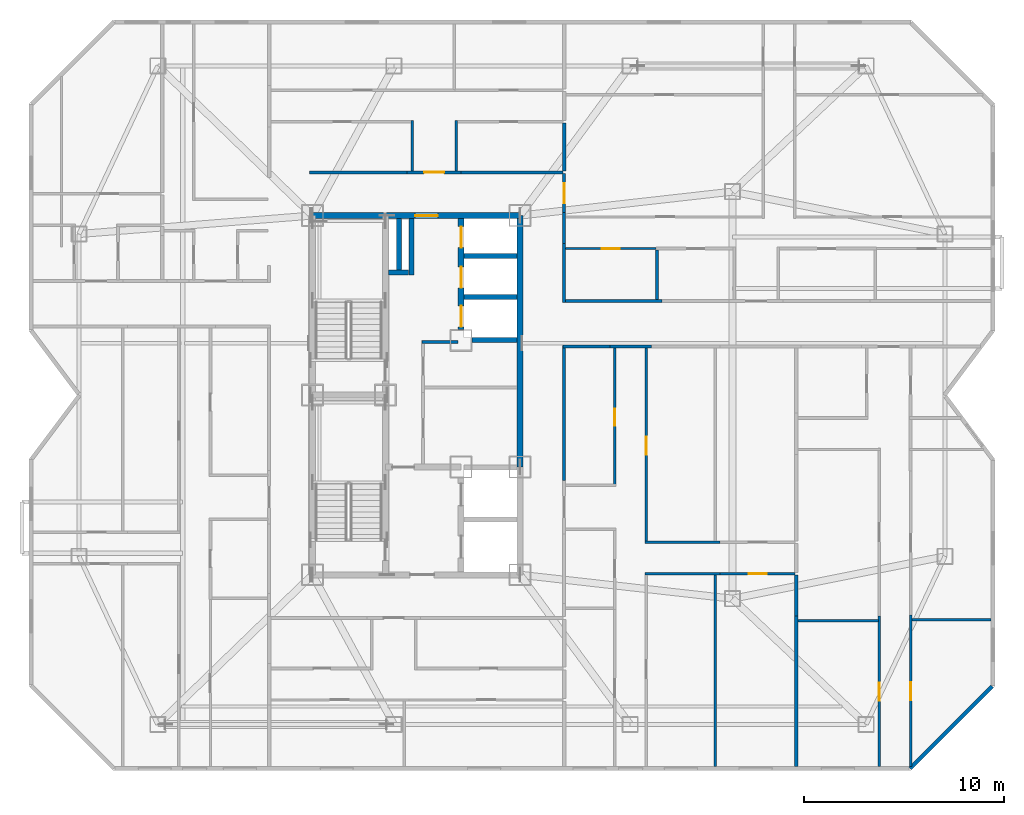
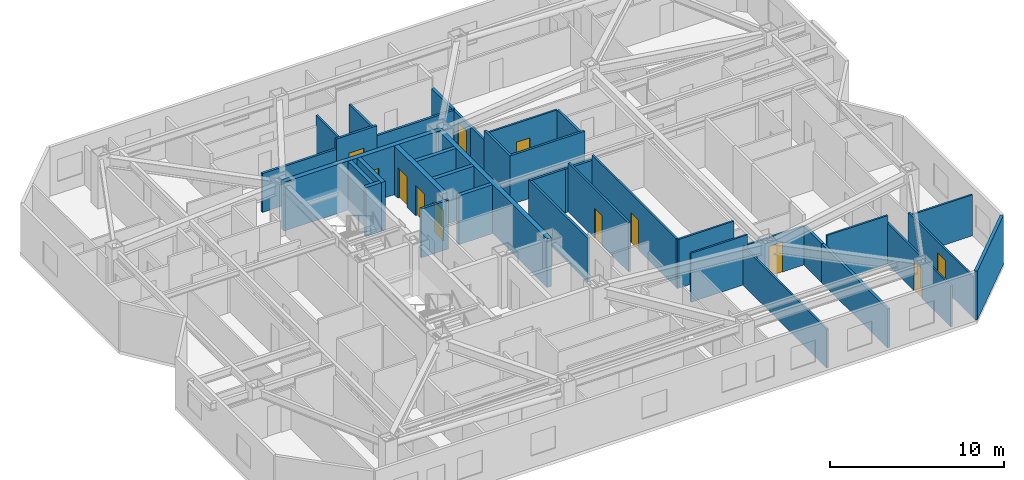
# One storey, part 8 of 12: 38 walls, 12 doors, 12 openings.
"""IFC4 building model written with IfcOpenShell, lengths in metres."""

from ifc_helpers import new_model, si_unit, direction, frame, frame_2d, origin, place, context, subcontext, project, spatial, rectangle, extrude, material, layer, layer_set, type_object, element, fill, save


model = new_model("IFC4")

# Units and contexts
model_context = context("Model", 3, precision=1e-05, world=origin(), true_north=direction((0.0, 1.0)))
body_context = subcontext(model_context, "Body", "Model", "MODEL_VIEW")
ifc_project = project(units=[si_unit("LENGTHUNIT", "METRE"), si_unit("AREAUNIT", "SQUARE_METRE"), si_unit("VOLUMEUNIT", "CUBIC_METRE"), si_unit("PLANEANGLEUNIT", "RADIAN"), si_unit("MASSUNIT", "GRAM", prefix="KILO")], contexts=[model_context])

# Site, building, storey
site_placement = place(None, origin())
site = spatial("IfcSite", under=ifc_project, at=site_placement, CompositionType="ELEMENT")
building_placement = place(site_placement, origin())
building = spatial("IfcBuilding", under=site, at=building_placement, Name="Khamvora Tower", CompositionType="ELEMENT")
storey_placement = place(building_placement, frame((0.0, 0.0, 199.699951171875)))
storey = spatial("IfcBuildingStorey", under=building, at=storey_placement, Name="L51", CompositionType="ELEMENT", Elevation=199.699951171875)

# Wall, opening, door
ifc_material_1 = material(Name="Concrete C50/60", Category="concrete")
ifc_layer_1 = layer(ifc_material_1, 0.300048828125)
ifc_layer_set_1 = layer_set([ifc_layer_1], Name="Concrete C50/60")
wall_type_1 = type_object("IfcWallType", Name="WAL-CORE-300", PredefinedType="SHEAR", material=ifc_layer_set_1)
wall_1_placement = place(storey_placement, frame((29.0, 37.0, 0.0), z_axis=(0.0, 0.0, 1.0), x_axis=(1.0, 0.0, 0.0)))
wall_1 = element("IfcWall", 1, at=wall_1_placement, inside=storey, type_object=wall_type_1, Name="L51 central core north wall", PredefinedType="SHEAR", context=body_context, shape_type="SweptSolid", body=[
    extrude(rectangle(XDim=10.39990234375, YDim=0.300048828125, at=frame_2d((5.199951171875, 0.0))), origin(), (0.0, 0.0, 1.0), 3.429931640625),
])
opening_1_placement = place(wall_1_placement, frame((5.139892578125, 0.0, 0.0)))
opening_1 = element("IfcOpeningElement", 2, at=opening_1_placement, cuts=wall_1, Name="Opening D-SC1", PredefinedType="OPENING", context=body_context, shape_type="SweptSolid", body=[
    extrude(rectangle(XDim=1.14990234375, YDim=2.199951171875, at=frame_2d((0.574951171875, 1.10009765625))), frame((0.0, 0.159912109375, 0.0), z_axis=(0.0, -1.0, 0.0), x_axis=(1.0, 0.0, 0.0)), (0.0, 0.0, 1.0), 0.320068359375),
])
ifc_material_2 = material(Name="Powder-Coated Steel and Hardwood Leaf", Category="steel")
door_type_1 = type_object("IfcDoorType", Name="DOR-SCHL-1150", OperationType="NOTDEFINED", PredefinedType="DOOR", material=ifc_material_2)
door_1_placement = place(opening_1_placement, origin())
door_1 = element("IfcDoor", 3, at=door_1_placement, inside=storey, type_object=door_type_1, Name="L51 north core lobby to corridor fire door", OperationType="SINGLE_SWING_LEFT", OverallHeight=2.199951171875, OverallWidth=1.14990234375, PredefinedType="DOOR", context=body_context, shape_type="SweptSolid", body=[
    extrude(rectangle(XDim=1.14990234375, YDim=2.199951171875, at=frame_2d((0.574951171875, 1.10009765625))), frame((0.0, 0.02490234375, 0.0), z_axis=(0.0, -1.0, 0.0), x_axis=(1.0, 0.0, 0.0)), (0.0, 0.0, 1.0), 0.050048828125),
])
fill(opening_1, door_1)

# Wall
wall_2_placement = place(storey_placement, frame((39.39990234375, 24.39990234375, 0.0), z_axis=(0.0, 0.0, 1.0), x_axis=(0.0, 1.0, 0.0)))
element("IfcWall", 4, at=wall_2_placement, inside=storey, type_object=wall_type_1, Name="L51 central core east north wall", PredefinedType="SHEAR", context=body_context, shape_type="SweptSolid", body=[
    extrude(rectangle(XDim=12.60009765625, YDim=0.300048828125, at=frame_2d((6.300048828125, 0.0))), origin(), (0.0, 0.0, 1.0), 3.429931640625),
])

# Wall, openings, doors
wall_3_placement = place(storey_placement, frame((36.449951171875, 31.300048828125, 0.0), z_axis=(0.0, 0.0, 1.0), x_axis=(0.0, 1.0, 0.0)))
wall_3 = element("IfcWall", 5, at=wall_3_placement, inside=storey, type_object=wall_type_1, Name="L51 central core lift bank central wall", PredefinedType="SHEAR", context=body_context, shape_type="SweptSolid", body=[
    extrude(rectangle(XDim=5.5458984375, YDim=0.300048828125, at=frame_2d((2.77294921875, 0.0))), origin(), (0.0, 0.0, 1.0), 3.429931640625),
])
opening_2_placement = place(wall_3_placement, frame((0.1201171875, 0.0, 0.0)))
opening_2 = element("IfcOpeningElement", 6, at=opening_2_placement, cuts=wall_3, Name="Opening LD-PL", PredefinedType="OPENING", context=body_context, shape_type="SweptSolid", body=[
    extrude(rectangle(XDim=1.050048828125, YDim=2.14990234375, at=frame_2d((0.52490234375, 1.074951171875))), frame((0.0, 0.159912109375, 0.0), z_axis=(0.0, -1.0, 0.0), x_axis=(1.0, 0.0, 0.0)), (0.0, 0.0, 1.0), 0.320068359375),
])
opening_3_placement = place(wall_3_placement, frame((2.074951171875, 0.0, 0.0)))
opening_3 = element("IfcOpeningElement", 7, at=opening_3_placement, cuts=wall_3, Name="Opening LD-PL", PredefinedType="OPENING", context=body_context, shape_type="SweptSolid", body=[
    extrude(rectangle(XDim=1.050048828125, YDim=2.14990234375, at=frame_2d((0.52490234375, 1.074951171875))), frame((0.0, 0.159912109375, 0.0), z_axis=(0.0, -1.0, 0.0), x_axis=(1.0, 0.0, 0.0)), (0.0, 0.0, 1.0), 0.320068359375),
])
opening_4_placement = place(wall_3_placement, frame((4.094970703125, 0.0, 0.0)))
opening_4 = element("IfcOpeningElement", 8, at=opening_4_placement, cuts=wall_3, Name="Opening LD-PL", PredefinedType="OPENING", context=body_context, shape_type="SweptSolid", body=[
    extrude(rectangle(XDim=1.050048828125, YDim=2.14990234375, at=frame_2d((0.52490234375, 1.074951171875))), frame((0.0, 0.159912109375, 0.0), z_axis=(0.0, -1.0, 0.0), x_axis=(1.0, 0.0, 0.0)), (0.0, 0.0, 1.0), 0.320068359375),
])
door_type_2 = type_object("IfcDoorType", Name="DOR-LIFT-1050", OperationType="SLIDING_TO_LEFT", PredefinedType="DOOR", material=ifc_material_2)
door_2_placement = place(opening_2_placement, origin())
door_2 = element("IfcDoor", 9, at=door_2_placement, inside=storey, type_object=door_type_2, Name="L51 lift landing sliding door PH-01", OperationType="SLIDING_TO_LEFT", OverallHeight=2.14990234375, OverallWidth=1.050048828125, PredefinedType="DOOR", context=body_context, shape_type="SweptSolid", body=[
    extrude(rectangle(XDim=1.050048828125, YDim=2.14990234375, at=frame_2d((0.52490234375, 1.074951171875))), frame((0.0, 0.02490234375, 0.0), z_axis=(0.0, -1.0, 0.0), x_axis=(1.0, 0.0, 0.0)), (0.0, 0.0, 1.0), 0.050048828125),
])
fill(opening_2, door_2)
door_3_placement = place(opening_3_placement, origin())
door_3 = element("IfcDoor", 10, at=door_3_placement, inside=storey, type_object=door_type_2, Name="L51 lift landing sliding door PH-02", OperationType="SLIDING_TO_LEFT", OverallHeight=2.14990234375, OverallWidth=1.050048828125, PredefinedType="DOOR", context=body_context, shape_type="SweptSolid", body=[
    extrude(rectangle(XDim=1.050048828125, YDim=2.14990234375, at=frame_2d((0.52490234375, 1.074951171875))), frame((0.0, 0.02490234375, 0.0), z_axis=(0.0, -1.0, 0.0), x_axis=(1.0, 0.0, 0.0)), (0.0, 0.0, 1.0), 0.050048828125),
])
fill(opening_3, door_3)
door_4_placement = place(opening_4_placement, origin())
door_4 = element("IfcDoor", 11, at=door_4_placement, inside=storey, type_object=door_type_2, Name="L51 lift landing sliding door PH-03", OperationType="SLIDING_TO_LEFT", OverallHeight=2.14990234375, OverallWidth=1.050048828125, PredefinedType="DOOR", context=body_context, shape_type="SweptSolid", body=[
    extrude(rectangle(XDim=1.050048828125, YDim=2.14990234375, at=frame_2d((0.52490234375, 1.074951171875))), frame((0.0, 0.02490234375, 0.0), z_axis=(0.0, -1.0, 0.0), x_axis=(1.0, 0.0, 0.0)), (0.0, 0.0, 1.0), 0.050048828125),
])
fill(opening_4, door_4)

# Wall
ifc_material_3 = material(Name="Fire-Rated Drywall and Steel Stud", Category="steel")
ifc_layer_2 = layer(ifc_material_3, 0.14990234375)
ifc_layer_set_2 = layer_set([ifc_layer_2], Name="Fire-Rated Drywall and Steel Stud")
wall_type_2 = type_object("IfcWallType", Name="WAL-CORR-150", PredefinedType="STANDARD", material=ifc_layer_set_2)
wall_4_placement = place(storey_placement, frame((36.300048828125, 30.6650390625, 0.0), z_axis=(0.0, 0.0, 1.0), x_axis=(-1.0, 0.0, 0.0)))
element("IfcWall", 12, at=wall_4_placement, inside=storey, type_object=wall_type_2, Name="L51 interior partition wall 001", PredefinedType="STANDARD", context=body_context, shape_type="SweptSolid", body=[
    extrude(rectangle(XDim=1.820068359375, YDim=0.14990234375, at=frame_2d((0.91015625, 0.0))), origin(), (0.0, 0.0, 1.0), 3.429931640625),
])

# Wall, opening, door
wall_5_placement = place(storey_placement, frame((33.75, 39.1650390625, 0.0), z_axis=(0.0, 0.0, 1.0), x_axis=(1.0, 0.0, 0.0)))
wall_5 = element("IfcWall", 13, at=wall_5_placement, inside=storey, type_object=wall_type_2, Name="L51 interior partition wall 022", PredefinedType="STANDARD", context=body_context, shape_type="SweptSolid", body=[
    extrude(rectangle(XDim=2.697998046875, YDim=0.14990234375, at=frame_2d((1.34912109375, 0.0))), origin(), (0.0, 0.0, 1.0), 3.429931640625),
])
opening_5_placement = place(wall_5_placement, frame((0.84912109375, 0.0, 0.0)))
opening_5 = element("IfcOpeningElement", 14, at=opening_5_placement, cuts=wall_5, Name="Opening D-U1", PredefinedType="OPENING", context=body_context, shape_type="SweptSolid", body=[
    extrude(rectangle(XDim=1.0, YDim=2.14990234375, at=frame_2d((0.5, 1.074951171875))), frame((0.0, 0.0849609375, 0.0), z_axis=(0.0, -1.0, 0.0), x_axis=(1.0, 0.0, 0.0)), (0.0, 0.0, 1.0), 0.169921875),
])
door_type_3 = type_object("IfcDoorType", Name="DOR-UNIT-1000", OperationType="NOTDEFINED", PredefinedType="DOOR", material=ifc_material_2)
door_5_placement = place(opening_5_placement, origin())
door_5 = element("IfcDoor", 15, at=door_5_placement, inside=storey, type_object=door_type_3, Name="L51 interior door COR-51NAH", OperationType="SINGLE_SWING_RIGHT", OverallHeight=2.14990234375, OverallWidth=1.0, PredefinedType="DOOR", context=body_context, shape_type="SweptSolid", body=[
    extrude(rectangle(XDim=1.0, YDim=2.14990234375, at=frame_2d((0.5, 1.074951171875))), frame((0.0, 0.02490234375, 0.0), z_axis=(0.0, -1.0, 0.0), x_axis=(1.0, 0.0, 0.0)), (0.0, 0.0, 1.0), 0.050048828125),
])
fill(opening_5, door_5)

# Walls
wall_6_placement = place(storey_placement, frame((36.447998046875, 39.1650390625, 0.0), z_axis=(0.0, 0.0, 1.0), x_axis=(1.0, 0.0, 0.0)))
element("IfcWall", 16, at=wall_6_placement, inside=storey, type_object=wall_type_2, Name="L51 interior partition wall 023", PredefinedType="STANDARD", context=body_context, shape_type="SweptSolid", body=[
    extrude(rectangle(XDim=5.10205078125, YDim=0.14990234375, at=frame_2d((2.551025390625, 0.0))), origin(), (0.0, 0.0, 1.0), 2.72509765625),
])
wall_7_placement = place(storey_placement, frame((28.85009765625, 39.1650390625, 0.0), z_axis=(0.0, 0.0, 1.0), x_axis=(1.0, 0.0, 0.0)))
element("IfcWall", 17, at=wall_7_placement, inside=storey, type_object=wall_type_2, Name="L51 interior partition wall 024", PredefinedType="STANDARD", context=body_context, shape_type="SweptSolid", body=[
    extrude(rectangle(XDim=4.89990234375, YDim=0.14990234375, at=frame_2d((2.449951171875, 0.0))), origin(), (0.0, 0.0, 1.0), 2.72509765625),
])
wall_8_placement = place(storey_placement, frame((45.98388671875, 30.43505859375, 0.0), z_axis=(0.0, 0.0, 1.0), x_axis=(-1.0, 0.0, 0.0)))
element("IfcWall", 18, at=wall_8_placement, inside=storey, type_object=wall_type_2, Name="L51 interior partition wall 026", PredefinedType="STANDARD", context=body_context, shape_type="SweptSolid", body=[
    extrude(rectangle(XDim=2.078857421875, YDim=0.14990234375, at=frame_2d((1.03955078125, 0.0))), origin(), (0.0, 0.0, 1.0), 3.06494140625),
])
wall_9_placement = place(storey_placement, frame((43.905029296875, 30.43505859375, 0.0), z_axis=(0.0, 0.0, 1.0), x_axis=(-1.0, 0.0, 0.0)))
element("IfcWall", 19, at=wall_9_placement, inside=storey, type_object=wall_type_2, Name="L51 interior partition wall 029", PredefinedType="STANDARD", context=body_context, shape_type="SweptSolid", body=[
    extrude(rectangle(XDim=2.35498046875, YDim=0.14990234375, at=frame_2d((1.177490234375, 0.0))), origin(), (0.0, 0.0, 1.0), 3.06494140625),
])
wall_10_placement = place(storey_placement, frame((41.614990234375, 30.5, 0.0), z_axis=(0.0, 0.0, 1.0), x_axis=(0.0, -1.0, 0.0)))
element("IfcWall", 20, at=wall_10_placement, inside=storey, type_object=wall_type_2, Name="L51 interior partition wall 030", PredefinedType="STANDARD", context=body_context, shape_type="SweptSolid", body=[
    extrude(rectangle(XDim=6.76708984375, YDim=0.14990234375, at=frame_2d((3.383544921875, 0.0))), origin(), (0.0, 0.0, 1.0), 3.06494140625),
])
wall_11_placement = place(storey_placement, frame((41.614990234375, 35.597900390625, 0.0), z_axis=(0.0, 0.0, 1.0), x_axis=(0.0, -1.0, 0.0)))
element("IfcWall", 21, at=wall_11_placement, inside=storey, type_object=wall_type_2, Name="L51 interior partition wall 036", PredefinedType="STANDARD", context=body_context, shape_type="SweptSolid", body=[
    extrude(rectangle(XDim=2.947998046875, YDim=0.14990234375, at=frame_2d((1.47412109375, 0.0))), origin(), (0.0, 0.0, 1.0), 3.429931640625),
])
wall_12_placement = place(storey_placement, frame((41.550048828125, 32.715087890625, 0.0), z_axis=(0.0, 0.0, 1.0), x_axis=(1.0, 0.0, 0.0)))
element("IfcWall", 22, at=wall_12_placement, inside=storey, type_object=wall_type_2, Name="L51 interior partition wall 037", PredefinedType="STANDARD", context=body_context, shape_type="SweptSolid", body=[
    extrude(rectangle(XDim=4.968994140625, YDim=0.14990234375, at=frame_2d((2.484375, 0.0))), origin(), (0.0, 0.0, 1.0), 3.429931640625),
])
wall_13_placement = place(storey_placement, frame((41.614990234375, 37.14990234375, 0.0), z_axis=(0.0, 0.0, 1.0), x_axis=(0.0, -1.0, 0.0)))
element("IfcWall", 23, at=wall_13_placement, inside=storey, type_object=wall_type_2, Name="L51 interior partition wall 039", PredefinedType="STANDARD", context=body_context, shape_type="SweptSolid", body=[
    extrude(rectangle(XDim=1.552001953125, YDim=0.14990234375, at=frame_2d((0.77587890625, 0.0))), origin(), (0.0, 0.0, 1.0), 2.72509765625),
])

# Wall, opening, door
wall_14_placement = place(storey_placement, frame((41.614990234375, 39.10009765625, 0.0), z_axis=(0.0, 0.0, 1.0), x_axis=(0.0, -1.0, 0.0)))
wall_14 = element("IfcWall", 24, at=wall_14_placement, inside=storey, type_object=wall_type_2, Name="L51 interior partition wall 043", PredefinedType="STANDARD", context=body_context, shape_type="SweptSolid", body=[
    extrude(rectangle(XDim=1.9501953125, YDim=0.14990234375, at=frame_2d((0.97509765625, 0.0))), origin(), (0.0, 0.0, 1.0), 2.72509765625),
])
opening_6_placement = place(wall_14_placement, frame((0.47509765625, 0.0, 0.0)))
opening_6 = element("IfcOpeningElement", 25, at=opening_6_placement, cuts=wall_14, Name="Opening D-U1", PredefinedType="OPENING", context=body_context, shape_type="SweptSolid", body=[
    extrude(rectangle(XDim=1.0, YDim=2.14990234375, at=frame_2d((0.5, 1.074951171875))), frame((0.0, 0.0849609375, 0.0), z_axis=(0.0, -1.0, 0.0), x_axis=(1.0, 0.0, 0.0)), (0.0, 0.0, 1.0), 0.169921875),
])
door_6_placement = place(opening_6_placement, origin())
door_6 = element("IfcDoor", 26, at=door_6_placement, inside=storey, type_object=door_type_3, Name="L51 interior door COR-51EBR1", OperationType="SINGLE_SWING_RIGHT", OverallHeight=2.14990234375, OverallWidth=1.0, PredefinedType="DOOR", context=body_context, shape_type="SweptSolid", body=[
    extrude(rectangle(XDim=1.0, YDim=2.14990234375, at=frame_2d((0.5, 1.074951171875))), frame((0.0, 0.02490234375, 0.0), z_axis=(0.0, -1.0, 0.0), x_axis=(1.0, 0.0, 0.0)), (0.0, 0.0, 1.0), 0.050048828125),
])
fill(opening_6, door_6)

# Walls
ifc_material_4 = material(Name="Acoustic Double-Stud Fire Wall", Category="gypsum")
ifc_layer_3 = layer(ifc_material_4, 0.179931640625)
ifc_layer_set_3 = layer_set([ifc_layer_3], Name="Acoustic Double-Stud Fire Wall")
wall_type_3 = type_object("IfcWallType", Name="WAL-CORR-180", PredefinedType="STANDARD", material=ifc_layer_set_3)
wall_15_placement = place(storey_placement, frame((41.614990234375, 41.6298828125, 0.0), z_axis=(0.0, 0.0, 1.0), x_axis=(0.0, -1.0, 0.0)))
element("IfcWall", 27, at=wall_15_placement, inside=storey, type_object=wall_type_3, Name="L51 interior partition wall 097", PredefinedType="STANDARD", context=body_context, shape_type="SweptSolid", body=[
    extrude(rectangle(XDim=2.39990234375, YDim=0.179931640625, at=frame_2d((1.199951171875, 0.0))), origin(), (0.0, 0.0, 1.0), 2.72509765625),
])
wall_16_placement = place(storey_placement, frame((53.240966796875, 16.945068359375, 0.0), z_axis=(0.0, 0.0, 1.0), x_axis=(0.0, -1.0, 0.0)))
element("IfcWall", 28, at=wall_16_placement, inside=storey, type_object=wall_type_3, Name="L51 interior partition wall 114", PredefinedType="STANDARD", context=body_context, shape_type="SweptSolid", body=[
    extrude(rectangle(XDim=7.552978515625, YDim=0.179931640625, at=frame_2d((3.7763671875, 0.0))), origin(), (0.0, 0.0, 1.0), 2.72509765625),
])
wall_17_placement = place(storey_placement, frame((53.240966796875, 18.989990234375, 0.0), z_axis=(0.0, 0.0, 1.0), x_axis=(0.0, -1.0, 0.0)))
element("IfcWall", 29, at=wall_17_placement, inside=storey, type_object=wall_type_3, Name="L51 interior partition wall 115", PredefinedType="STANDARD", context=body_context, shape_type="SweptSolid", body=[
    extrude(rectangle(XDim=2.044921875, YDim=0.179931640625, at=frame_2d((1.0224609375, 0.0))), origin(), (0.0, 0.0, 1.0), 2.72509765625),
])
ifc_material_5 = material(Name="Precast concrete C40/50", Category="concrete")
ifc_layer_4 = layer(ifc_material_5, 0.199951171875)
ifc_layer_set_4 = layer_set([ifc_layer_4], Name="Precast concrete C40/50")
wall_type_4 = type_object("IfcWallType", Name="WAL-EXT-200", PredefinedType="STANDARD", material=ifc_layer_set_4)
wall_18_placement = place(storey_placement, frame((63.056884765625, 13.39794921875, 0.0), z_axis=(0.0, 0.0, 1.0), x_axis=(-0.707106781187, -0.707106781187, 0.0)))
element("IfcWall", 30, at=wall_18_placement, inside=storey, type_object=wall_type_4, Name="L51 exterior facade wall 13.1", PredefinedType="STANDARD", context=body_context, shape_type="SweptSolid", body=[
    extrude(rectangle(XDim=5.79541015625, YDim=0.199951171875, at=frame_2d((2.897705078125, 0.0))), origin(), (0.0, 0.0, 1.0), 3.429931640625),
])
ifc_material_6 = material(Name="Gypsum Plasterboard Partition", Category="gypsum")
ifc_layer_5 = layer(ifc_material_6, 0.1201171875)
ifc_layer_set_5 = layer_set([ifc_layer_5], Name="Gypsum Plasterboard Partition")
wall_type_5 = type_object("IfcWallType", Name="WAL-PART-120", PredefinedType="PARTITIONING", material=ifc_layer_set_5)
wall_19_placement = place(storey_placement, frame((49.431884765625, 19.054931640625, 0.0), z_axis=(0.0, 0.0, 1.0), x_axis=(-1.0, 0.0, 0.0)))
element("IfcWall", 31, at=wall_19_placement, inside=storey, type_object=wall_type_5, Name="L51 interior partition wall 106", PredefinedType="PARTITIONING", context=body_context, shape_type="SweptSolid", body=[
    extrude(rectangle(XDim=3.762939453125, YDim=0.1201171875, at=frame_2d((1.88134765625, 0.0))), origin(), (0.0, 0.0, 1.0), 3.429931640625),
])

# Wall, opening, door
wall_20_placement = place(storey_placement, frame((53.176025390625, 19.054931640625, 0.0), z_axis=(0.0, 0.0, 1.0), x_axis=(-1.0, 0.0, 0.0)))
wall_20 = element("IfcWall", 32, at=wall_20_placement, inside=storey, type_object=wall_type_5, Name="L51 interior partition wall 108", PredefinedType="PARTITIONING", context=body_context, shape_type="SweptSolid", body=[
    extrude(rectangle(XDim=3.744140625, YDim=0.1201171875, at=frame_2d((1.8720703125, 0.0))), origin(), (0.0, 0.0, 1.0), 2.72509765625),
])
opening_7_placement = place(wall_20_placement, frame((1.422119140625, 0.0, 0.0)))
opening_7 = element("IfcOpeningElement", 33, at=opening_7_placement, cuts=wall_20, Name="Opening D-RM1", PredefinedType="OPENING", context=body_context, shape_type="SweptSolid", body=[
    extrude(rectangle(XDim=0.89990234375, YDim=2.10009765625, at=frame_2d((0.449951171875, 1.050048828125))), frame((0.0, 0.070068359375, 0.0), z_axis=(0.0, -1.0, 0.0), x_axis=(1.0, 0.0, 0.0)), (0.0, 0.0, 1.0), 0.14013671875),
])
door_type_4 = type_object("IfcDoorType", Name="DOR-ROOM-900", OperationType="NOTDEFINED", PredefinedType="DOOR", material=ifc_material_2)
door_7_placement = place(opening_7_placement, origin())
door_7 = element("IfcDoor", 34, at=door_7_placement, inside=storey, type_object=door_type_4, Name="L51 interior door 51EA1H-51EA1R2", OperationType="SINGLE_SWING_LEFT", OverallHeight=2.10009765625, OverallWidth=0.89990234375, PredefinedType="DOOR", context=body_context, shape_type="SweptSolid", body=[
    extrude(rectangle(XDim=0.89990234375, YDim=2.10009765625, at=frame_2d((0.449951171875, 1.050048828125))), frame((0.0, 0.02490234375, 0.0), z_axis=(0.0, -1.0, 0.0), x_axis=(1.0, 0.0, 0.0)), (0.0, 0.0, 1.0), 0.050048828125),
])
fill(opening_7, door_7)

wall_21_placement = place(storey_placement, frame((45.73388671875, 30.367919921875, 0.0), z_axis=(0.0, 0.0, 1.0), x_axis=(0.0, -1.0, 0.0)))
wall_21 = element("IfcWall", 35, at=wall_21_placement, inside=storey, type_object=wall_type_5, Name="L51 interior partition wall 109", PredefinedType="PARTITIONING", context=body_context, shape_type="SweptSolid", body=[
    extrude(rectangle(XDim=9.807861328125, YDim=0.1201171875, at=frame_2d((4.90380859375, 0.0))), origin(), (0.0, 0.0, 1.0), 3.429931640625),
])
opening_8_placement = place(wall_21_placement, frame((4.4541015625, 0.0, 0.0)))
opening_8 = element("IfcOpeningElement", 36, at=opening_8_placement, cuts=wall_21, Name="Opening D-RM1", PredefinedType="OPENING", context=body_context, shape_type="SweptSolid", body=[
    extrude(rectangle(XDim=0.89990234375, YDim=2.10009765625, at=frame_2d((0.449951171875, 1.050048828125))), frame((0.0, 0.070068359375, 0.0), z_axis=(0.0, -1.0, 0.0), x_axis=(1.0, 0.0, 0.0)), (0.0, 0.0, 1.0), 0.14013671875),
])
door_8_placement = place(opening_8_placement, origin())
door_8 = element("IfcDoor", 37, at=door_8_placement, inside=storey, type_object=door_type_4, Name="L51 interior door 51EA1H-51EA1R3", OperationType="SINGLE_SWING_LEFT", OverallHeight=2.10009765625, OverallWidth=0.89990234375, PredefinedType="DOOR", context=body_context, shape_type="SweptSolid", body=[
    extrude(rectangle(XDim=0.89990234375, YDim=2.10009765625, at=frame_2d((0.449951171875, 1.050048828125))), frame((0.0, 0.02490234375, 0.0), z_axis=(0.0, -1.0, 0.0), x_axis=(1.0, 0.0, 0.0)), (0.0, 0.0, 1.0), 0.050048828125),
])
fill(opening_8, door_8)

# Walls
wall_22_placement = place(storey_placement, frame((45.6689453125, 20.625, 0.0), z_axis=(0.0, 0.0, 1.0), x_axis=(1.0, 0.0, 0.0)))
element("IfcWall", 38, at=wall_22_placement, inside=storey, type_object=wall_type_5, Name="L51 interior partition wall 110", PredefinedType="PARTITIONING", context=body_context, shape_type="SweptSolid", body=[
    extrude(rectangle(XDim=3.762939453125, YDim=0.1201171875, at=frame_2d((1.88134765625, 0.0))), origin(), (0.0, 0.0, 1.0), 3.429931640625),
])
wall_23_placement = place(storey_placement, frame((49.18310546875, 19.0009765625, 0.0), z_axis=(0.0, 0.0, 1.0), x_axis=(0.0, -1.0, 0.0)))
element("IfcWall", 39, at=wall_23_placement, inside=storey, type_object=wall_type_5, Name="L51 interior partition wall 113", PredefinedType="PARTITIONING", context=body_context, shape_type="SweptSolid", body=[
    extrude(rectangle(XDim=9.60888671875, YDim=0.1201171875, at=frame_2d((4.804443359375, 0.0))), origin(), (0.0, 0.0, 1.0), 2.72509765625),
])

# Wall, opening, door
wall_24_placement = place(storey_placement, frame((57.4130859375, 9.39208984375, 0.0), z_axis=(0.0, 0.0, 1.0), x_axis=(0.0, 1.0, 0.0)))
wall_24 = element("IfcWall", 40, at=wall_24_placement, inside=storey, type_object=wall_type_5, Name="L51 interior partition wall 124", PredefinedType="PARTITIONING", context=body_context, shape_type="SweptSolid", body=[
    extrude(rectangle(XDim=7.552978515625, YDim=0.1201171875, at=frame_2d((3.7763671875, 0.0))), origin(), (0.0, 0.0, 1.0), 2.8759765625),
])
opening_9_placement = place(wall_24_placement, frame((3.304931640625, 0.0, 0.0)))
opening_9 = element("IfcOpeningElement", 41, at=opening_9_placement, cuts=wall_24, Name="Opening D-RM1", PredefinedType="OPENING", context=body_context, shape_type="SweptSolid", body=[
    extrude(rectangle(XDim=0.89990234375, YDim=2.10009765625, at=frame_2d((0.449951171875, 1.050048828125))), frame((0.0, 0.070068359375, 0.0), z_axis=(0.0, -1.0, 0.0), x_axis=(1.0, 0.0, 0.0)), (0.0, 0.0, 1.0), 0.14013671875),
])
door_9_placement = place(opening_9_placement, origin())
door_9 = element("IfcDoor", 42, at=door_9_placement, inside=storey, type_object=door_type_4, Name="L51 interior door 51EA2H-51EA2L", OperationType="SINGLE_SWING_RIGHT", OverallHeight=2.10009765625, OverallWidth=0.89990234375, PredefinedType="DOOR", context=body_context, shape_type="SweptSolid", body=[
    extrude(rectangle(XDim=0.89990234375, YDim=2.10009765625, at=frame_2d((0.449951171875, 1.050048828125))), frame((0.0, 0.02490234375, 0.0), z_axis=(0.0, -1.0, 0.0), x_axis=(1.0, 0.0, 0.0)), (0.0, 0.0, 1.0), 0.050048828125),
])
fill(opening_9, door_9)

wall_25_placement = place(storey_placement, frame((58.98291015625, 16.9951171875, 0.0), z_axis=(0.0, 0.0, 1.0), x_axis=(0.0, -1.0, 0.0)))
wall_25 = element("IfcWall", 43, at=wall_25_placement, inside=storey, type_object=wall_type_5, Name="L51 interior partition wall 127", PredefinedType="PARTITIONING", context=body_context, shape_type="SweptSolid", body=[
    extrude(rectangle(XDim=7.60302734375, YDim=0.1201171875, at=frame_2d((3.801513671875, 0.0))), origin(), (0.0, 0.0, 1.0), 2.8759765625),
])
opening_10_placement = place(wall_25_placement, frame((3.3720703125, 0.0, 0.0)))
opening_10 = element("IfcOpeningElement", 44, at=opening_10_placement, cuts=wall_25, Name="Opening D-RM1", PredefinedType="OPENING", context=body_context, shape_type="SweptSolid", body=[
    extrude(rectangle(XDim=0.89990234375, YDim=2.10009765625, at=frame_2d((0.449951171875, 1.050048828125))), frame((0.0, 0.070068359375, 0.0), z_axis=(0.0, -1.0, 0.0), x_axis=(1.0, 0.0, 0.0)), (0.0, 0.0, 1.0), 0.14013671875),
])
door_10_placement = place(opening_10_placement, origin())
door_10 = element("IfcDoor", 45, at=door_10_placement, inside=storey, type_object=door_type_4, Name="L51 interior door 51EA2H-51EA2R3", OperationType="SINGLE_SWING_LEFT", OverallHeight=2.10009765625, OverallWidth=0.89990234375, PredefinedType="DOOR", context=body_context, shape_type="SweptSolid", body=[
    extrude(rectangle(XDim=0.89990234375, YDim=2.10009765625, at=frame_2d((0.449951171875, 1.050048828125))), frame((0.0, 0.02490234375, 0.0), z_axis=(0.0, -1.0, 0.0), x_axis=(1.0, 0.0, 0.0)), (0.0, 0.0, 1.0), 0.050048828125),
])
fill(opening_10, door_10)

# Walls
wall_26_placement = place(storey_placement, frame((53.322998046875, 16.696044921875, 0.0), z_axis=(0.0, 0.0, 1.0), x_axis=(1.0, 0.0, 0.0)))
element("IfcWall", 46, at=wall_26_placement, inside=storey, type_object=wall_type_5, Name="L51 interior partition wall 130", PredefinedType="PARTITIONING", context=body_context, shape_type="SweptSolid", body=[
    extrude(rectangle(XDim=4.035888671875, YDim=0.1201171875, at=frame_2d((2.01806640625, 0.0))), origin(), (0.0, 0.0, 1.0), 3.429931640625),
])
wall_27_placement = place(storey_placement, frame((59.037109375, 16.74609375, 0.0), z_axis=(0.0, 0.0, 1.0), x_axis=(1.0, 0.0, 0.0)))
element("IfcWall", 47, at=wall_27_placement, inside=storey, type_object=wall_type_5, Name="L51 interior partition wall 131", PredefinedType="PARTITIONING", context=body_context, shape_type="SweptSolid", body=[
    extrude(rectangle(XDim=3.970947265625, YDim=0.1201171875, at=frame_2d((1.9853515625, 0.0))), origin(), (0.0, 0.0, 1.0), 2.8759765625),
])

# Wall, opening, door
wall_28_placement = place(storey_placement, frame((41.681884765625, 35.34912109375, 0.0), z_axis=(0.0, 0.0, 1.0), x_axis=(1.0, 0.0, 0.0)))
wall_28 = element("IfcWall", 48, at=wall_28_placement, inside=storey, type_object=wall_type_5, Name="L51 interior partition wall 132", PredefinedType="PARTITIONING", context=body_context, shape_type="SweptSolid", body=[
    extrude(rectangle(XDim=4.523193359375, YDim=0.1201171875, at=frame_2d((2.26171875, 0.0))), origin(), (0.0, 0.0, 1.0), 3.429931640625),
])
opening_11_placement = place(wall_28_placement, frame((1.81103515625, 0.0, 0.0)))
opening_11 = element("IfcOpeningElement", 49, at=opening_11_placement, cuts=wall_28, Name="Opening D-RM1", PredefinedType="OPENING", context=body_context, shape_type="SweptSolid", body=[
    extrude(rectangle(XDim=0.89990234375, YDim=2.10009765625, at=frame_2d((0.449951171875, 1.050048828125))), frame((0.0, 0.070068359375, 0.0), z_axis=(0.0, -1.0, 0.0), x_axis=(1.0, 0.0, 0.0)), (0.0, 0.0, 1.0), 0.14013671875),
])
door_11_placement = place(opening_11_placement, origin())
door_11 = element("IfcDoor", 50, at=door_11_placement, inside=storey, type_object=door_type_4, Name="L51 interior door 51EBW1-51EBH", OperationType="SINGLE_SWING_LEFT", OverallHeight=2.10009765625, OverallWidth=0.89990234375, PredefinedType="DOOR", context=body_context, shape_type="SweptSolid", body=[
    extrude(rectangle(XDim=0.89990234375, YDim=2.10009765625, at=frame_2d((0.449951171875, 1.050048828125))), frame((0.0, 0.02490234375, 0.0), z_axis=(0.0, -1.0, 0.0), x_axis=(1.0, 0.0, 0.0)), (0.0, 0.0, 1.0), 0.050048828125),
])
fill(opening_11, door_11)

# Walls
ifc_material_7 = material(Name="Concrete C40/50", Category="concrete")
ifc_layer_6 = layer(ifc_material_7, 0.25)
ifc_layer_set_6 = layer_set([ifc_layer_6], Name="Concrete C40/50")
wall_type_6 = type_object("IfcWallType", Name="WAL-PODS-250", PredefinedType="SHEAR", material=ifc_layer_set_6)
wall_29_placement = place(storey_placement, frame((37.00390625, 30.77490234375, 0.0), z_axis=(0.0, 0.0, 1.0), x_axis=(1.0, 0.0, 0.0)))
element("IfcWall", 51, at=wall_29_placement, inside=storey, type_object=wall_type_6, Name="L51 high-rise lift shaft south enclosure wall PH-01", PredefinedType="SHEAR", context=body_context, shape_type="SweptSolid", body=[
    extrude(rectangle(XDim=2.2421875, YDim=0.25, at=frame_2d((1.12109375, 0.0))), origin(), (0.0, 0.0, 1.0), 3.429931640625),
])
for number, where, z_axis, x_axis, name in (
    (52, (36.60400390625, 32.925048828125, 0.0), (0.0, 0.0, 1.0), (1.0, 0.0, 0.0), "L51 lift shaft divider wall PH-01"),
    (53, (36.60400390625, 34.97509765625, 0.0), (0.0, 0.0, 1.0), (1.0, 0.0, 0.0), "L51 lift shaft divider wall PH-02"),
):
    element("IfcWall", number, at=place(storey_placement, frame(where, z_axis=z_axis, x_axis=x_axis)), inside=storey, type_object=wall_type_6, Name=name, PredefinedType="SHEAR", context=body_context, shape_type="SweptSolid", body=[
        extrude(rectangle(XDim=2.64208984375, YDim=0.25, at=frame_2d((1.321044921875, 0.0))), origin(), (0.0, 0.0, 1.0), 3.429931640625),
    ])
wall_30_placement = place(storey_placement, frame((33.955078125, 34.02490234375, 0.0), z_axis=(0.0, 0.0, 1.0), x_axis=(0.0, 1.0, 0.0)))
element("IfcWall", 54, at=wall_30_placement, inside=storey, type_object=wall_type_6, Name="L51 vertical MEP riser shaft east enclosure wall", PredefinedType="SHEAR", context=body_context, shape_type="SweptSolid", body=[
    extrude(rectangle(XDim=2.821044921875, YDim=0.25, at=frame_2d((1.41064453125, 0.0))), origin(), (0.0, 0.0, 1.0), 3.429931640625),
])
wall_31_placement = place(storey_placement, frame((32.803955078125, 34.14990234375, 0.0), z_axis=(0.0, 0.0, 1.0), x_axis=(1.0, 0.0, 0.0)))
element("IfcWall", 55, at=wall_31_placement, inside=storey, type_object=wall_type_6, Name="L51 vertical MEP riser shaft south enclosure wall", PredefinedType="SHEAR", context=body_context, shape_type="SweptSolid", body=[
    extrude(rectangle(XDim=1.02197265625, YDim=0.25, at=frame_2d((0.510986328125, 0.0))), origin(), (0.0, 0.0, 1.0), 3.429931640625),
])
wall_32_placement = place(storey_placement, frame((33.340087890625, 34.279052734375, 0.0), z_axis=(0.0, 0.0, 1.0), x_axis=(0.0, 1.0, 0.0)))
element("IfcWall", 56, at=wall_32_placement, inside=storey, type_object=wall_type_6, Name="L51 vertical MEP riser shaft divider enclosure wall", PredefinedType="SHEAR", context=body_context, shape_type="SweptSolid", body=[
    extrude(rectangle(XDim=2.56689453125, YDim=0.25, at=frame_2d((1.283447265625, 0.0))), origin(), (0.0, 0.0, 1.0), 3.429931640625),
])
ifc_material_8 = material(Name="Moisture-Resistant Plasterboard Partition", Category="gypsum")
ifc_layer_7 = layer(ifc_material_8, 0.135009765625)
ifc_layer_set_7 = layer_set([ifc_layer_7], Name="Moisture-Resistant Plasterboard Partition")
wall_type_7 = type_object("IfcWallType", Name="WAL-WET-135", PredefinedType="PARTITIONING", material=ifc_layer_set_7)
for number, where, z_axis, x_axis, name in (
    (57, (36.198974609375, 41.760009765625, 0.0), (0.0, 0.0, 1.0), (0.0, -1.0, 0.0), "L51 interior partition wall 091"),
    (58, (33.9990234375, 39.23193359375, 0.0), (0.0, 0.0, 1.0), (0.0, 1.0, 0.0), "L51 interior partition wall 092"),
):
    element("IfcWall", number, at=place(storey_placement, frame(where, z_axis=z_axis, x_axis=x_axis)), inside=storey, type_object=wall_type_7, Name=name, PredefinedType="PARTITIONING", context=body_context, shape_type="SweptSolid", body=[
        extrude(rectangle(XDim=2.528076171875, YDim=0.135009765625, at=frame_2d((1.26416015625, 0.0))), origin(), (0.0, 0.0, 1.0), 3.429931640625),
    ])

# Wall, opening, door
wall_33_placement = place(storey_placement, frame((44.154052734375, 23.4189453125, 0.0), z_axis=(0.0, 0.0, 1.0), x_axis=(0.0, 1.0, 0.0)))
wall_33 = element("IfcWall", 59, at=wall_33_placement, inside=storey, type_object=wall_type_7, Name="L51 interior partition wall 105", PredefinedType="PARTITIONING", context=body_context, shape_type="SweptSolid", body=[
    extrude(rectangle(XDim=6.948974609375, YDim=0.135009765625, at=frame_2d((3.474609375, 0.0))), origin(), (0.0, 0.0, 1.0), 3.429931640625),
])
opening_12_placement = place(wall_33_placement, frame((3.050048828125, 0.0, 0.0)))
opening_12 = element("IfcOpeningElement", 60, at=opening_12_placement, cuts=wall_33, Name="Opening D-RM2", PredefinedType="OPENING", context=body_context, shape_type="SweptSolid", body=[
    extrude(rectangle(XDim=0.85009765625, YDim=2.10009765625, at=frame_2d((0.425048828125, 1.050048828125))), frame((0.0, 0.077392578125, 0.0), z_axis=(0.0, -1.0, 0.0), x_axis=(1.0, 0.0, 0.0)), (0.0, 0.0, 1.0), 0.155029296875),
])
door_type_5 = type_object("IfcDoorType", Name="DOR-ROOM-850", OperationType="NOTDEFINED", PredefinedType="DOOR", material=ifc_material_2)
door_12_placement = place(opening_12_placement, origin())
door_12 = element("IfcDoor", 61, at=door_12_placement, inside=storey, type_object=door_type_5, Name="L51 interior door 51EA1H-51EA1K", OperationType="SINGLE_SWING_RIGHT", OverallHeight=2.10009765625, OverallWidth=0.85009765625, PredefinedType="DOOR", context=body_context, shape_type="SweptSolid", body=[
    extrude(rectangle(XDim=0.85009765625, YDim=2.10009765625, at=frame_2d((0.425048828125, 1.050048828125))), frame((0.0, 0.02490234375, 0.0), z_axis=(0.0, -1.0, 0.0), x_axis=(1.0, 0.0, 0.0)), (0.0, 0.0, 1.0), 0.050048828125),
])
fill(opening_12, door_12)

# Wall
wall_34_placement = place(storey_placement, frame((46.27001953125, 35.283935546875, 0.0), z_axis=(0.0, 0.0, 1.0), x_axis=(0.0, -1.0, 0.0)))
element("IfcWall", 62, at=wall_34_placement, inside=storey, type_object=wall_type_7, Name="L51 interior partition wall 133", PredefinedType="PARTITIONING", context=body_context, shape_type="SweptSolid", body=[
    extrude(rectangle(XDim=2.501953125, YDim=0.135009765625, at=frame_2d((1.2509765625, 0.0))), origin(), (0.0, 0.0, 1.0), 3.429931640625),
])

save(model, "model.ifc")
